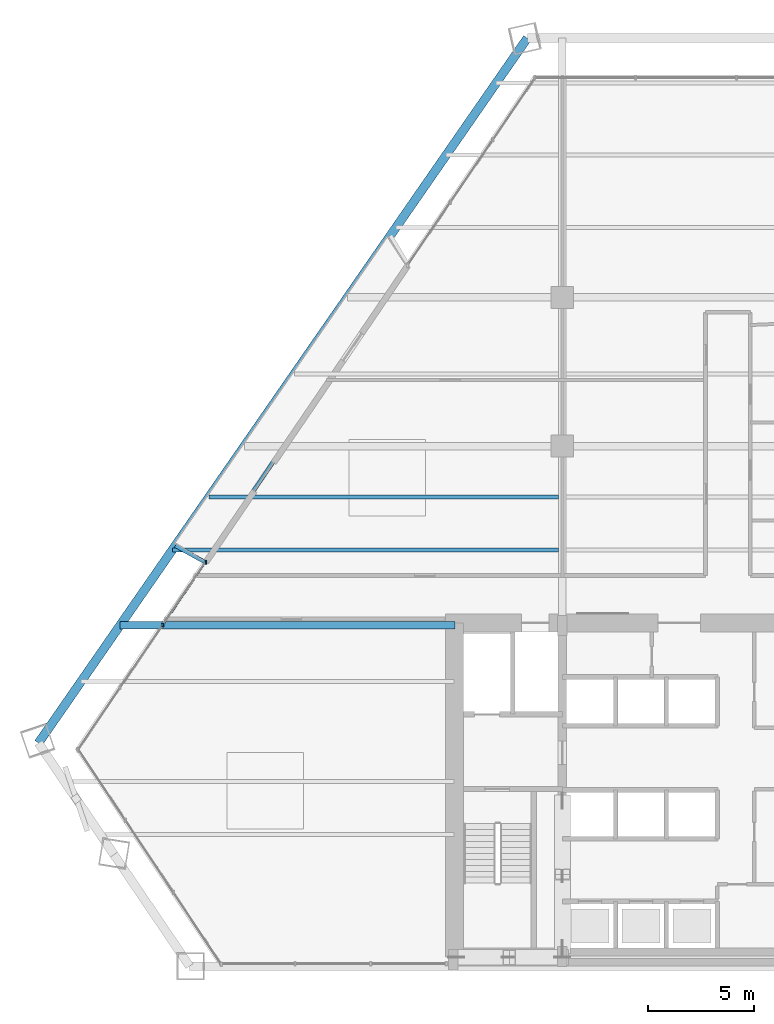
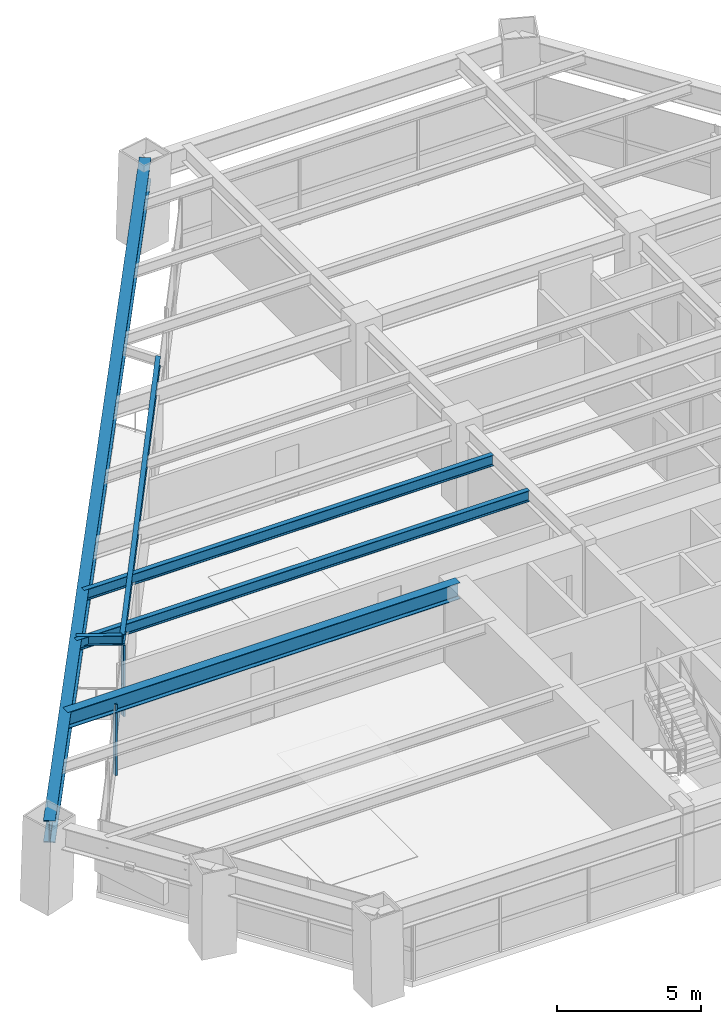
# One storey, part 4 of 15: 6 beams, 3 members, 1 element without a shape of its own.
"""IFC4 building model written with IfcOpenShell, lengths in metres."""

from ifc_helpers import new_model, si_unit, direction, frame, origin, origin_2d, place, context, subcontext, project, spatial, rectangle, i_section, extrude, source, transform, mapped, material, material_profile, profile_set, type_object, element, aggregate, save


model = new_model("IFC4")

# Units and contexts
model_context = context("Model", 3, precision=1e-05, world=origin(), true_north=direction((0.0, 1.0)))
body_context = subcontext(model_context, "Body", "Model", "MODEL_VIEW")
ifc_project = project(units=[si_unit("LENGTHUNIT", "METRE"), si_unit("AREAUNIT", "SQUARE_METRE"), si_unit("VOLUMEUNIT", "CUBIC_METRE"), si_unit("PLANEANGLEUNIT", "RADIAN"), si_unit("MASSUNIT", "GRAM", prefix="KILO")], contexts=[model_context])

# Site, building, storey
site_placement = place(None, origin())
site = spatial("IfcSite", under=ifc_project, at=site_placement, CompositionType="ELEMENT")
building_placement = place(site_placement, origin())
building = spatial("IfcBuilding", under=site, at=building_placement, Name="Varnakhor Terracotta Tower", CompositionType="ELEMENT")
storey_placement = place(building_placement, frame((0.0, 0.0, 57.10009765625)))
storey = spatial("IfcBuildingStorey", under=building, at=storey_placement, Name="L13", CompositionType="ELEMENT", Elevation=57.10009765625)

# Beams
ifc_material_1 = material(Name="Steel S355", Category="steel")
ifc_material_profile_1 = material_profile(ifc_material_1, i_section(OverallWidth=0.41796875, OverallDepth=0.927001953125, WebThickness=0.01904296875, FlangeThickness=0.031982421875, FilletRadius=0.01806640625, at=origin_2d()), Name="W36X231")
ifc_profile_set_1 = profile_set([ifc_material_profile_1], Name="Steel S355")
beam_type_1 = type_object("IfcBeamType", Name="BM-W36X231", PredefinedType="BEAM", material=ifc_profile_set_1)
shared_shape_1 = source(origin(), body_context, "Body", "SweptSolid", [
    extrude(i_section(OverallWidth=0.41796875, OverallDepth=0.927001953125, WebThickness=0.01904296875, FlangeThickness=0.031982421875, FilletRadius=0.01806640625, at=origin_2d()), origin(), (0.0, 0.0, 1.0), 40.404052734375),
])
beam_1_placement = place(storey_placement, frame((-7.1533203125, 43.71240234375, 2.986328125), z_axis=(-0.569878427335, -0.821729017412, 0.0), x_axis=(0.821729017412, -0.569878427335, 0.0)))
element("IfcBeam", 1, at=beam_1_placement, inside=storey, type_object=beam_type_1, Name="L13 Perimeter Spandrel 6", PredefinedType="BEAM", context=body_context, shape_type="MappedRepresentation", body=[
    mapped(shared_shape_1, transform((0.0, 0.0, 0.0), scale=1.0)),
])
ifc_material_profile_2 = material_profile(ifc_material_1, i_section(OverallWidth=0.179931640625, OverallDepth=0.39990234375, WebThickness=0.008544921875, FlangeThickness=0.013427734375, FilletRadius=0.01806640625, at=origin_2d()), Name="IPE400")
ifc_profile_set_2 = profile_set([ifc_material_profile_2], Name="Steel S355")
beam_type_2 = type_object("IfcBeamType", Name="JST-IPE400", PredefinedType="JOIST", material=ifc_profile_set_2)
shared_shape_2 = source(origin(), body_context, "Body", "SweptSolid", [
    extrude(i_section(OverallWidth=0.179931640625, OverallDepth=0.39990234375, WebThickness=0.008544921875, FlangeThickness=0.013427734375, FilletRadius=0.01806640625, at=origin_2d()), origin(), (0.0, 0.0, 1.0), 16.971435546875),
])
beam_2_placement = place(storey_placement, frame((-12.78515625, 33.062744140625, 3.25), z_axis=(-0.562325366789, -0.826916067002, 0.0), x_axis=(0.826916067002, -0.562325366789, 0.0)))
element("IfcBeam", 2, at=beam_2_placement, inside=storey, type_object=beam_type_2, Name="L13 Loggia Edge Beam 2", PredefinedType="JOIST", context=body_context, shape_type="MappedRepresentation", body=[
    mapped(shared_shape_2, transform((0.0, 0.0, 0.0), scale=1.0)),
])
ifc_material_profile_3 = material_profile(ifc_material_1, i_section(OverallWidth=0.35498046875, OverallDepth=0.695068359375, WebThickness=0.014892578125, FlangeThickness=0.02490234375, FilletRadius=0.01806640625, at=origin_2d()), Name="W27X146")
ifc_profile_set_3 = profile_set([ifc_material_profile_3], Name="Steel S355")
beam_type_3 = type_object("IfcBeamType", Name="BM-W27X146", PredefinedType="BEAM", material=ifc_profile_set_3)
shared_shape_3 = source(origin(), body_context, "Body", "SweptSolid", [
    extrude(i_section(OverallWidth=0.35498046875, OverallDepth=0.695068359375, WebThickness=0.014892578125, FlangeThickness=0.02490234375, FilletRadius=0.01806640625, at=origin_2d()), origin(), (0.0, 0.0, 1.0), 15.78759765625),
])
beam_3_placement = place(storey_placement, frame((-26.337646484375, 16.050048828125, 3.102294921875), z_axis=(1.0, 0.0, 0.0), x_axis=(0.0, 1.0, 0.0)))
element("IfcBeam", 3, at=beam_3_placement, inside=storey, type_object=beam_type_3, Name="L13 Wing Girder W", PredefinedType="BEAM", context=body_context, shape_type="MappedRepresentation", body=[
    mapped(shared_shape_3, transform((0.0, 0.0, 0.0), scale=1.0)),
])
ifc_material_profile_4 = material_profile(ifc_material_1, i_section(OverallWidth=0.19189453125, OverallDepth=0.462890625, WebThickness=0.010498046875, FlangeThickness=0.017578125, FilletRadius=0.01806640625, at=origin_2d()), Name="W18X60")
ifc_profile_set_4 = profile_set([ifc_material_profile_4], Name="Steel S355")
beam_type_4 = type_object("IfcBeamType", Name="JST-W18X60", PredefinedType="JOIST", material=ifc_profile_set_4)
shared_shape_4 = source(origin(), body_context, "Body", "SweptSolid", [
    extrude(i_section(OverallWidth=0.19189453125, OverallDepth=0.462890625, WebThickness=0.010498046875, FlangeThickness=0.017578125, FilletRadius=0.01806640625, at=origin_2d()), origin(), (0.0, 0.0, 1.0), 18.201904296875),
])
beam_4_placement = place(storey_placement, frame((-23.87548828125, 19.60009765625, 3.218505859375), z_axis=(1.0, 0.0, 0.0), x_axis=(0.0, 1.0, 0.0)))
element("IfcBeam", 4, at=beam_4_placement, inside=storey, type_object=beam_type_4, Name="L13 Composite Floor Joist 4-1", PredefinedType="JOIST", context=body_context, shape_type="MappedRepresentation", body=[
    mapped(shared_shape_4, transform((0.0, 0.0, 0.0), scale=1.0)),
])
shared_shape_5 = source(origin(), body_context, "Body", "SweptSolid", [
    extrude(i_section(OverallWidth=0.19189453125, OverallDepth=0.462890625, WebThickness=0.010498046875, FlangeThickness=0.017578125, FilletRadius=0.01806640625, at=origin_2d()), origin(), (0.0, 0.0, 1.0), 16.46826171875),
])
beam_5_placement = place(storey_placement, frame((-22.141845703125, 22.10009765625, 3.218505859375), z_axis=(1.0, 0.0, 0.0), x_axis=(0.0, 1.0, 0.0)))
element("IfcBeam", 5, at=beam_5_placement, inside=storey, type_object=beam_type_4, Name="L13 Composite Floor Joist 5-1", PredefinedType="JOIST", context=body_context, shape_type="MappedRepresentation", body=[
    mapped(shared_shape_5, transform((0.0, 0.0, 0.0), scale=1.0)),
])

# Curtain wall, members
ifc_material_2 = material(Name="Anodised Aluminium Curtain Wall System", Category="aluminium")
curtain_wall_type = type_object("IfcCurtainWallType", Name="CW-SYS-LOW-OFFICE", PredefinedType="NOTDEFINED", material=ifc_material_2)
curtain_wall_placement = place(storey_placement, origin())
curtain_wall = element("IfcCurtainWall", 6, at=curtain_wall_placement, inside=storey, type_object=curtain_wall_type, Name="L13 W Facet Curtain Wall 1", PredefinedType="NOTDEFINED")
ifc_material_3 = material(Name="Anodised Aluminium 6063-T6", Category="aluminium")
ifc_material_profile_5 = material_profile(ifc_material_3, rectangle(XDim=0.074951171875, YDim=0.18505859375, at=origin_2d()), Name="ALU MULLION 75x185")
ifc_profile_set_5 = profile_set([ifc_material_profile_5], Name="Anodised Aluminium 6063-T6")
member_type_1 = type_object("IfcMemberType", Name="CWM-02", PredefinedType="MULLION", material=ifc_profile_set_5)
shared_shape_6 = source(origin(), body_context, "Body", "SweptSolid", [
    extrude(rectangle(XDim=0.074951171875, YDim=0.18505859375, at=origin_2d()), origin(), (0.0, 0.0, 1.0), 3.02978515625),
])
member_1_placement = place(storey_placement, frame((-24.32421875, 16.072265625, 0.0), z_axis=(0.0, 0.0, 1.0), x_axis=(1.0, 0.0, 0.0)))
member_1 = element("IfcMember", 7, at=member_1_placement, type_object=member_type_1, Name="L13 W Facet Curtain Wall 1 Mullion 3", PredefinedType="MULLION", context=body_context, shape_type="MappedRepresentation", body=[
    mapped(shared_shape_6, transform((0.0, 0.0, 0.0), scale=1.0)),
])
member_2_placement = place(storey_placement, frame((-22.285888671875, 19.031982421875, 0.0), z_axis=(0.0, 0.0, 1.0), x_axis=(1.0, 0.0, 0.0)))
member_2 = element("IfcMember", 8, at=member_2_placement, type_object=member_type_1, Name="L13 W Loggia Jamb Closure Mullion 1", PredefinedType="MULLION", context=body_context, shape_type="MappedRepresentation", body=[
    mapped(shared_shape_6, transform((0.0, 0.0, 0.0), scale=1.0)),
])
ifc_material_profile_6 = material_profile(ifc_material_3, rectangle(XDim=0.074951171875, YDim=0.1650390625, at=origin_2d()), Name="ALU TRANSOM 75x165")
ifc_profile_set_6 = profile_set([ifc_material_profile_6], Name="Anodised Aluminium 6063-T6")
member_type_2 = type_object("IfcMemberType", Name="CWT-02", PredefinedType="USERDEFINED", material=ifc_profile_set_6)
shared_shape_7 = source(origin(), body_context, "Body", "SweptSolid", [
    extrude(rectangle(XDim=0.074951171875, YDim=0.1650390625, at=origin_2d()), origin(), (0.0, 0.0, 1.0), 3.5634765625),
])
member_3_placement = place(storey_placement, frame((-24.32421875, 16.072265625, 1.2724609375), z_axis=(0.56261168689, 0.826721289053, 0.0), x_axis=(-0.826721289053, 0.56261168689, 0.0)))
member_3 = element("IfcMember", 9, at=member_3_placement, type_object=member_type_2, Name="L13 W Facet Curtain Wall 1 Transom 3", ObjectType="TRANSOM", PredefinedType="USERDEFINED", context=body_context, shape_type="MappedRepresentation", body=[
    mapped(shared_shape_7, transform((0.0, 0.0, 0.0), scale=1.0)),
])
aggregate(curtain_wall, [member_1, member_3, member_2])

# Beam
shared_shape_8 = source(origin(), body_context, "Body", "SweptSolid", [
    extrude(i_section(OverallWidth=0.179931640625, OverallDepth=0.39990234375, WebThickness=0.008544921875, FlangeThickness=0.013427734375, FilletRadius=0.01806640625, at=origin_2d()), origin(), (0.0, 0.0, 1.0), 1.604736328125),
])
beam_6_placement = place(storey_placement, frame((-22.32861328125, 19.02880859375, 3.25), z_axis=(-0.874336624396, 0.485319963776, 0.0), x_axis=(-0.485319963776, -0.874336624396, 0.0)))
element("IfcBeam", 10, at=beam_6_placement, inside=storey, type_object=beam_type_2, Name="L14 W Loggia Tie Beam 1", PredefinedType="JOIST", context=body_context, shape_type="MappedRepresentation", body=[
    mapped(shared_shape_8, transform((0.0, 0.0, 0.0), scale=1.0)),
])

save(model, "model.ifc")
